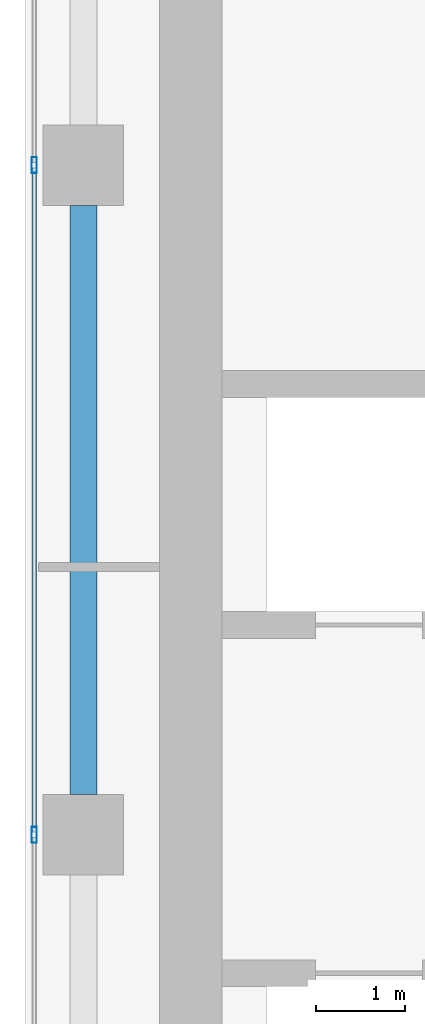
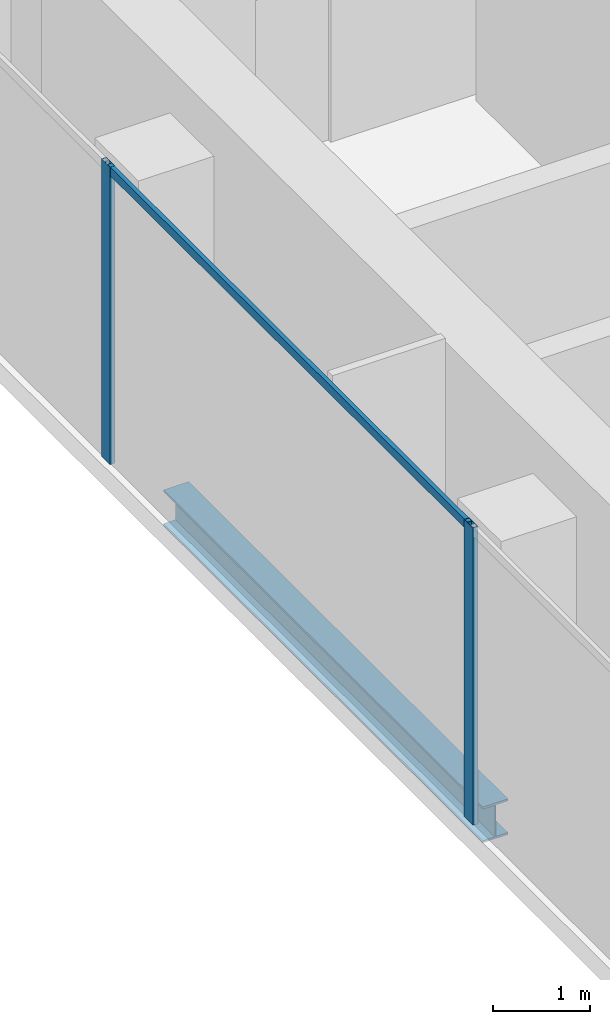
# One storey, part 8 of 35: 3 members, 1 beam, 1 element without a shape of its own.
"""IFC4 building model written with IfcOpenShell, lengths in metres."""

from ifc_helpers import new_model, si_unit, direction, frame, origin, origin_2d, place, context, subcontext, project, spatial, hollow_rectangle, i_section, extrude, source, transform, mapped, material, material_profile, profile_set, type_object, element, aggregate, save


model = new_model("IFC4")

# Units and contexts
model_context = context("Model", 3, precision=1e-05, world=origin(), true_north=direction((0.0, 1.0)))
body_context = subcontext(model_context, "Body", "Model", "MODEL_VIEW")
ifc_project = project(units=[si_unit("LENGTHUNIT", "METRE"), si_unit("AREAUNIT", "SQUARE_METRE"), si_unit("VOLUMEUNIT", "CUBIC_METRE"), si_unit("PLANEANGLEUNIT", "RADIAN"), si_unit("MASSUNIT", "GRAM", prefix="KILO")], contexts=[model_context])

# Site, building, storey
site_placement = place(None, origin())
site = spatial("IfcSite", under=ifc_project, at=site_placement, CompositionType="ELEMENT")
building_placement = place(site_placement, origin())
building = spatial("IfcBuilding", under=site, at=building_placement, Name="Khomas Fold Tower", CompositionType="ELEMENT")
storey_placement = place(building_placement, frame((0.0, 0.0, 262.199951171875)))
storey = spatial("IfcBuildingStorey", under=building, at=storey_placement, Name="L59", CompositionType="ELEMENT", Elevation=262.199951171875)

# Beam
ifc_material_1 = material(Name="Steel S355", Category="steel")
ifc_material_profile_1 = material_profile(ifc_material_1, i_section(OverallWidth=0.300048828125, OverallDepth=0.449951171875, WebThickness=0.013916015625, FlangeThickness=0.02587890625, at=origin_2d()), Name="HE 450 B")
ifc_profile_set_1 = profile_set([ifc_material_profile_1], Name="Steel S355")
beam_type = type_object("IfcBeamType", Name="HE 450 B spandrel SB4", PredefinedType="SPANDREL", material=ifc_profile_set_1)
shared_shape_1 = source(origin(), body_context, "Body", "SweptSolid", [
    extrude(i_section(OverallWidth=0.300048828125, OverallDepth=0.449951171875, WebThickness=0.013916015625, FlangeThickness=0.02587890625, at=origin_2d()), origin(), (0.0, 0.0, 1.0), 6.60009765625),
])
beam_placement = place(storey_placement, frame((5.14990234375, 27.449951171875, -0.474853515625), z_axis=(0.0, 1.0, 0.0), x_axis=(-1.0, 0.0, 0.0)))
element("IfcBeam", 1, at=beam_placement, inside=storey, type_object=beam_type, Name="SB4", PredefinedType="SPANDREL", context=body_context, shape_type="MappedRepresentation", body=[
    mapped(shared_shape_1, transform((0.0, 0.0, 0.0))),
])

# Curtain wall, members
ifc_material_2 = material(Name="Aluminium framed double glazing", Category="aluminium")
curtain_wall_type = type_object("IfcCurtainWallType", Name="SK-Unitised clear-glass wall, office floors CW2", PredefinedType="NOTDEFINED", material=ifc_material_2)
curtain_wall_placement = place(storey_placement, origin())
curtain_wall = element("IfcCurtainWall", 2, at=curtain_wall_placement, inside=storey, type_object=curtain_wall_type, Name="CW2 run L59 09-0", PredefinedType="NOTDEFINED")
ifc_material_3 = material(Name="Aluminium", Category="aluminium")
ifc_material_profile_2 = material_profile(ifc_material_3, hollow_rectangle(XDim=0.06005859375, YDim=0.179931640625, WallThickness=0.00390625, at=origin_2d()), Name="SK-Unitised clear-glass wall, office floors mullion CW2-M")
ifc_profile_set_2 = profile_set([ifc_material_profile_2], Name="Aluminium")
member_type_1 = type_object("IfcMemberType", Name="SK-Unitised clear-glass wall, office floors mullion CW2-M", PredefinedType="MULLION", material=ifc_profile_set_2)
shared_shape_2 = source(origin(), body_context, "Body", "SweptSolid", [
    extrude(hollow_rectangle(XDim=0.06005859375, YDim=0.179931640625, WallThickness=0.00390625, at=origin_2d()), origin(), (0.0, 0.0, 1.0), 3.75),
])
member_1_placement = place(storey_placement, frame((4.60009765625, 34.5, 0.0), z_axis=(0.0, 0.0, 1.0), x_axis=(1.0, 0.0, 0.0)))
member_1 = element("IfcMember", 3, at=member_1_placement, type_object=member_type_1, Name="CW2 mullion 3", PredefinedType="MULLION", context=body_context, shape_type="MappedRepresentation", body=[
    mapped(shared_shape_2, transform((0.0, 0.0, 0.0))),
])
member_2_placement = place(storey_placement, frame((4.60009765625, 27.0, 0.0), z_axis=(0.0, 0.0, 1.0), x_axis=(1.0, 0.0, 0.0)))
member_2 = element("IfcMember", 4, at=member_2_placement, type_object=member_type_1, Name="CW2 mullion 4", PredefinedType="MULLION", context=body_context, shape_type="MappedRepresentation", body=[
    mapped(shared_shape_2, transform((0.0, 0.0, 0.0))),
])
ifc_material_4 = material(Name="Aluminium", Category="aluminium")
ifc_material_profile_3 = material_profile(ifc_material_4, hollow_rectangle(XDim=0.050048828125, YDim=0.110107421875, WallThickness=0.00390625, at=origin_2d()), Name="SK-Unitised clear-glass wall, office floors transom CW2-T")
ifc_profile_set_3 = profile_set([ifc_material_profile_3], Name="Aluminium")
member_type_2 = type_object("IfcMemberType", Name="SK-Unitised clear-glass wall, office floors transom CW2-T", PredefinedType="USERDEFINED", material=ifc_profile_set_3)
shared_shape_3 = source(origin(), body_context, "Body", "SweptSolid", [
    extrude(hollow_rectangle(XDim=0.050048828125, YDim=0.110107421875, WallThickness=0.00390625, at=origin_2d()), origin(), (0.0, 0.0, 1.0), 7.43994140625),
])
member_3_placement = place(storey_placement, frame((4.60009765625, 34.469970703125, 3.695068359375), z_axis=(0.0, -1.0, 0.0), x_axis=(1.0, 0.0, 0.0)))
member_3 = element("IfcMember", 5, at=member_3_placement, type_object=member_type_2, Name="CW2 transom 3", ObjectType="TRANSOM", PredefinedType="USERDEFINED", context=body_context, shape_type="MappedRepresentation", body=[
    mapped(shared_shape_3, transform((0.0, 0.0, 0.0))),
])
aggregate(curtain_wall, [member_1, member_2, member_3])

save(model, "model.ifc")
